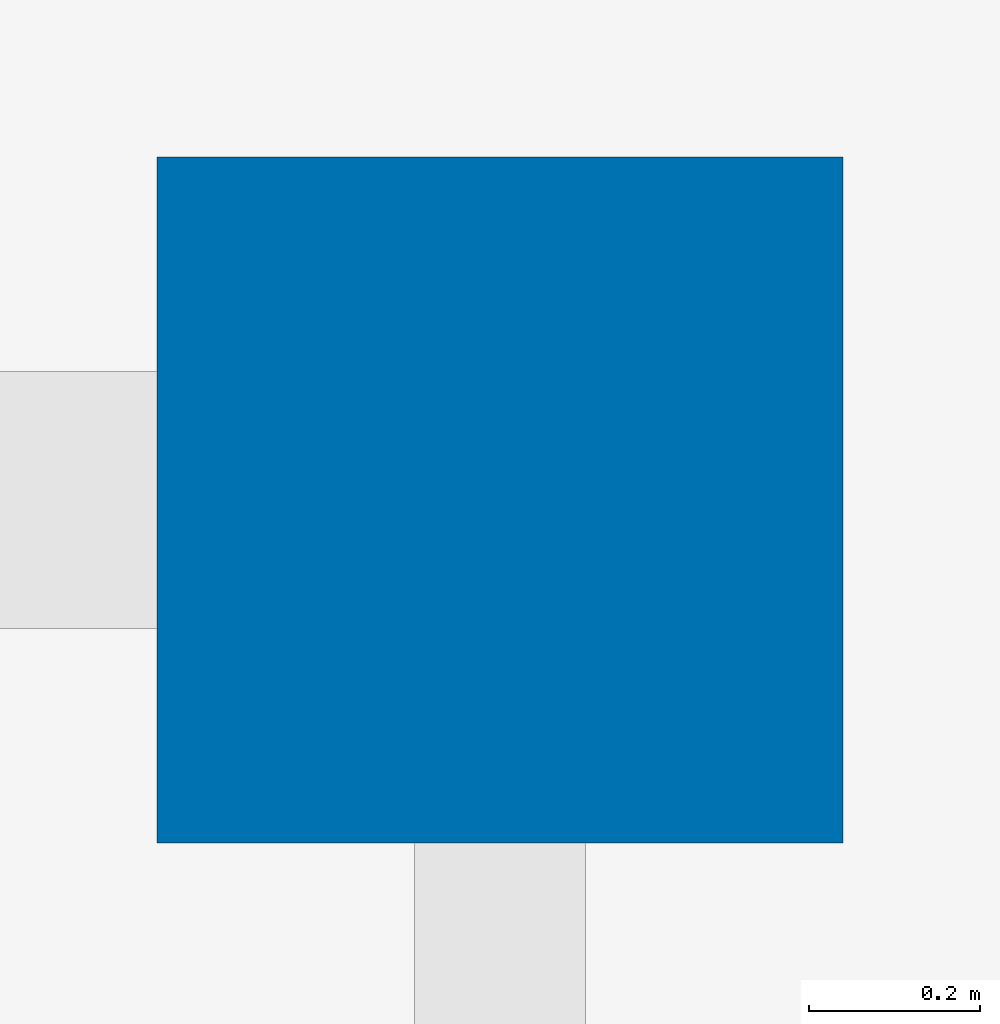
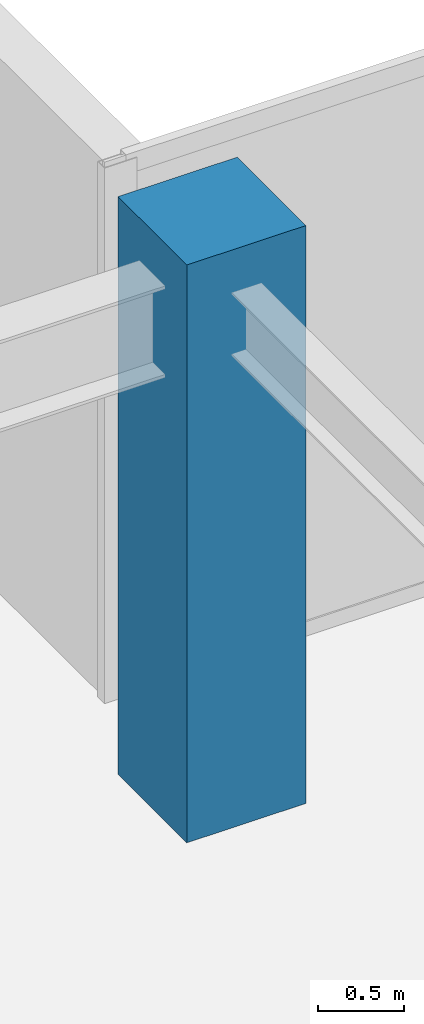
# One storey, part 4 of 33: 1 column.
"""IFC4 building model written with IfcOpenShell, lengths in metres."""

import ifcopenshell
import ifcopenshell.guid

model = None  # the IFC model being written
_history = None  # IfcOwnerHistory: only IFC2X3 demands one
_inside = {}  # id of a spatial element -> (the spatial element, [elements in it])
_under = {}  # id of a project, library or spatial element -> (it, [spatial elements below it])
_declared = {}  # id of a project -> (the project, [libraries it declares])
_typed = {}  # id of a type object -> (the type object, [elements of that type])
_made_of = {}  # id of a material, layer set ... -> (it, [elements and type objects made of it])


def new_model(schema):
    """Start an empty IFC model of exactly this schema.

    Asked for "IFC4X3", IfcOpenShell would pick the latest addendum, in which some entities
    have other attributes; the version numbers below select the first issue.
    IFC2X3 requires an IfcOwnerHistory on every rooted entity: one is made here for all.
    """
    global model, _history
    if schema == "IFC4X3":
        model = ifcopenshell.file(schema_version=(4, 3, 0, 0))
    else:
        model = ifcopenshell.file(schema=schema)
    _inside.clear()
    _under.clear()
    _declared.clear()
    _typed.clear()
    _made_of.clear()
    _history = None
    if model.schema == "IFC2X3":
        org = make("IfcOrganization", Name="unknown")
        user = make(
            "IfcPersonAndOrganization",
            ThePerson=make("IfcPerson", FamilyName="unknown"),
            TheOrganization=org,
        )
        app = make(
            "IfcApplication",
            ApplicationDeveloper=org,
            Version="unknown",
            ApplicationFullName="unknown",
            ApplicationIdentifier="unknown",
        )
        _history = make(
            "IfcOwnerHistory",
            OwningUser=user,
            OwningApplication=app,
            ChangeAction="ADDED",
            CreationDate=0,
        )
    return model


def make(cls, **values):
    """One entity of the class cls with the attributes given. An attribute that is None is left unset."""
    return model.create_entity(
        cls, **{name: value for name, value in values.items() if value is not None}
    )


def rooted(cls, **values):
    """An entity with a GlobalId (a new one), such as an element, a storey or a relation."""
    return make(cls, GlobalId=ifcopenshell.guid.new(), OwnerHistory=_history, **values)


def si_unit(unit_type, name, prefix=None):
    """IfcSIUnit, for example si_unit("LENGTHUNIT", "METRE", prefix="MILLI")."""
    return make("IfcSIUnit", UnitType=unit_type, Prefix=prefix, Name=name)


def assignment(units):
    """IfcUnitAssignment: the units of a project."""
    return None if units is None else make("IfcUnitAssignment", Units=units)


def point(xyz):
    """IfcCartesianPoint."""
    return None if xyz is None else make("IfcCartesianPoint", Coordinates=xyz)


def direction(xyz):
    """IfcDirection."""
    return None if xyz is None else make("IfcDirection", DirectionRatios=xyz)


def frame(location, z_axis=None, x_axis=None):
    """IfcAxis2Placement3D, a coordinate frame: its origin and axes. An axis left out is left unset."""
    return make(
        "IfcAxis2Placement3D",
        Location=point(location),
        Axis=direction(z_axis),
        RefDirection=direction(x_axis),
    )


def frame_2d(location, x_axis=None):
    """IfcAxis2Placement2D, a coordinate frame in the plane: its origin and x axis."""
    return make(
        "IfcAxis2Placement2D", Location=point(location), RefDirection=direction(x_axis)
    )


def origin():
    """The frame at (0, 0, 0) with its axes left unset."""
    return frame((0.0, 0.0, 0.0))


def origin_2d():
    """The frame at (0, 0) in the plane with its x axis left unset."""
    return frame_2d((0.0, 0.0))


def place(relative_to, where):
    """IfcLocalPlacement: puts the frame where relative to a parent placement (None: the world)."""
    return make(
        "IfcLocalPlacement", PlacementRelTo=relative_to, RelativePlacement=where
    )


def context(
    kind, dimensions, precision=None, world=None, true_north=None, identifier=None
):
    """IfcGeometricRepresentationContext, for example the 3D "Model" context."""
    return make(
        "IfcGeometricRepresentationContext",
        ContextIdentifier=identifier,
        ContextType=kind,
        CoordinateSpaceDimension=dimensions,
        Precision=precision,
        WorldCoordinateSystem=world,
        TrueNorth=true_north,
    )


def subcontext(parent, identifier, kind, view, scale=None):
    """IfcGeometricRepresentationSubContext, for example "Body" below "Model"."""
    return make(
        "IfcGeometricRepresentationSubContext",
        ContextIdentifier=identifier,
        ContextType=kind,
        ParentContext=parent,
        TargetScale=scale,
        TargetView=view,
    )


def project(units=None, contexts=None):
    """IfcProject with its units and contexts."""
    return rooted(
        "IfcProject",
        Name="project",
        RepresentationContexts=contexts,
        UnitsInContext=assignment(units),
    )


def spatial(cls, under=None, at=None, **own):
    """A site, building, storey or space (cls), placed at a placement, below another one or the project."""
    s = rooted(cls, ObjectPlacement=at, **own)
    if under is not None:
        _under.setdefault(under.id(), (under, []))[1].append(s)
    return s


def profile(cls, at=None, kind="AREA", **sizes):
    """A parametric profile (cls). Its sizes go by their IFC names, for example OverallWidth=200.0."""
    return make(cls, ProfileType=kind, Position=at, **sizes)


def rectangle(**sizes):
    """IfcRectangleProfileDef."""
    return profile("IfcRectangleProfileDef", **sizes)


def extrude(swept, where, along, depth):
    """IfcExtrudedAreaSolid: the profile swept, set in the frame where, extruded along a direction by depth."""
    return make(
        "IfcExtrudedAreaSolid",
        SweptArea=swept,
        Position=where,
        ExtrudedDirection=direction(along),
        Depth=depth,
    )


def shape(context_of_items, identifier, shape_type, items):
    """IfcShapeRepresentation: the items that make up one representation, for example the "Body"."""
    return make(
        "IfcShapeRepresentation",
        ContextOfItems=context_of_items,
        RepresentationIdentifier=identifier,
        RepresentationType=shape_type,
        Items=items,
    )


def source(mapping_origin, context_of_items, identifier, shape_type, items):
    """IfcRepresentationMap: a shape defined once, which mapped items show again and again."""
    return make(
        "IfcRepresentationMap",
        MappingOrigin=mapping_origin,
        MappedRepresentation=shape(context_of_items, identifier, shape_type, items),
    )


def transform(
    local_origin,
    x_axis=None,
    y_axis=None,
    z_axis=None,
    scale=None,
    scale2=None,
    scale3=None,
    uniform=True,
):
    """IfcCartesianTransformationOperator3D, or its non-uniform kind. x_axis, y_axis, z_axis: its Axis1, 2, 3."""
    if uniform:
        return make(
            "IfcCartesianTransformationOperator3D",
            Axis1=direction(x_axis),
            Axis2=direction(y_axis),
            LocalOrigin=point(local_origin),
            Scale=scale,
            Axis3=direction(z_axis),
        )
    return make(
        "IfcCartesianTransformationOperator3DnonUniform",
        Axis1=direction(x_axis),
        Axis2=direction(y_axis),
        LocalOrigin=point(local_origin),
        Scale=scale,
        Axis3=direction(z_axis),
        Scale2=scale2,
        Scale3=scale3,
    )


def mapped(mapping_source, mapping_target):
    """IfcMappedItem: shows the shape of a source again, moved by a transform."""
    return make(
        "IfcMappedItem", MappingSource=mapping_source, MappingTarget=mapping_target
    )


def material(Name=None, Category=None):
    """IfcMaterial."""
    return make("IfcMaterial", Name=Name, Category=Category)


def material_profile(
    of_material, cross_section, Name=None, Category=None, Priority=None
):
    """IfcMaterialProfile: a cross section and its material."""
    return make(
        "IfcMaterialProfile",
        Name=Name,
        Material=of_material,
        Profile=cross_section,
        Priority=Priority,
        Category=Category,
    )


def profile_set(profiles, Name=None, composite=None):
    """IfcMaterialProfileSet."""
    return make(
        "IfcMaterialProfileSet",
        Name=Name,
        MaterialProfiles=profiles,
        CompositeProfile=composite,
    )


def made_of(thing, what):
    """Note that an element or type object is made of a material, layer set ...; save() writes the relation."""
    if what is not None:
        _made_of.setdefault(what.id(), (what, []))[1].append(thing)
    return thing


def type_object(cls, material=None, **own):
    """A type object (cls), such as IfcWallType, which elements share."""
    return made_of(rooted(cls, **own), material)


def type_shapes(of_type, sources):
    """Give a type object the sources (RepresentationMaps) that its elements show as mapped items."""
    of_type.RepresentationMaps = sources


def element(
    cls,
    number,
    at=None,
    inside=None,
    cuts=None,
    type_object=None,
    material=None,
    context=None,
    identifier="Body",
    shape_type=None,
    held_by="IfcProductDefinitionShape",
    body=None,
    shapes=None,
    **own,
):
    """One element of the class cls, such as IfcWall. Its Tag is "e" and its number.

    at: its placement. inside: the storey or other place that contains it. cuts: it is an
    opening in that element (IfcRelVoidsElement). A single representation is given by context,
    identifier, shape_type and body (its items); several are given by shapes. held_by: the class
    of the entity that holds the representations. save() writes the other relations.
    """
    e = rooted(cls, Tag="e%d" % number, ObjectPlacement=at, **own)
    if body is not None:
        shapes = [shape(context, identifier, shape_type, body)]
    if shapes is not None:
        e.Representation = make(held_by, Representations=shapes)
    if inside is not None:
        _inside.setdefault(inside.id(), (inside, []))[1].append(e)
    if cuts is not None:
        rooted(
            "IfcRelVoidsElement", RelatingBuildingElement=cuts, RelatedOpeningElement=e
        )
    if type_object is not None:
        _typed.setdefault(type_object.id(), (type_object, []))[1].append(e)
    return made_of(e, material)


def aggregate(whole, parts):
    """IfcRelAggregates: a whole, such as a stair, and the parts it consists of."""
    return rooted("IfcRelAggregates", RelatingObject=whole, RelatedObjects=parts)


def save(model, path):
    """Write the relations noted so far, then the file.

    IfcRelAggregates (storeys below a building ...), IfcRelContainedInSpatialStructure (elements
    in a storey), IfcRelDefinesByType, IfcRelAssociatesMaterial and IfcRelDeclares: one each for
    every whole, place, type object, material and project.
    """
    for whole, parts in _under.values():
        aggregate(whole, parts)
    for where, things in _inside.values():
        rooted(
            "IfcRelContainedInSpatialStructure",
            RelatedElements=things,
            RelatingStructure=where,
        )
    for kind, things in _typed.values():
        rooted("IfcRelDefinesByType", RelatedObjects=things, RelatingType=kind)
    for what, things in _made_of.values():
        rooted("IfcRelAssociatesMaterial", RelatedObjects=things, RelatingMaterial=what)
    for by, libraries in _declared.values():
        rooted("IfcRelDeclares", RelatingContext=by, RelatedDefinitions=libraries)
    model.write(path)


model = new_model("IFC4")

# Units and contexts
model_context = context("Model", 3, precision=1e-05, world=origin(), true_north=direction((0.0, 1.0)))
body_context = subcontext(model_context, "Body", "Model", "MODEL_VIEW")
ifc_project = project(units=[si_unit("LENGTHUNIT", "METRE"), si_unit("AREAUNIT", "SQUARE_METRE"), si_unit("VOLUMEUNIT", "CUBIC_METRE"), si_unit("PLANEANGLEUNIT", "RADIAN"), si_unit("MASSUNIT", "GRAM", prefix="KILO")], contexts=[model_context])

# Site, building, storey
site_placement = place(None, origin())
site = spatial("IfcSite", under=ifc_project, at=site_placement, CompositionType="ELEMENT")
building_placement = place(site_placement, origin())
building = spatial("IfcBuilding", under=site, at=building_placement, Name="Haelvirn Gate Laboratories", CompositionType="ELEMENT")
storey_placement = place(building_placement, frame((0.0, 0.0, 267.0)))
storey = spatial("IfcBuildingStorey", under=building, at=storey_placement, Name="L64", CompositionType="ELEMENT", Elevation=267.0)

# Column
ifc_material = material(Name="Concrete C50/60", Category="concrete")
ifc_material_profile = material_profile(ifc_material, rectangle(XDim=0.800048828125, YDim=0.800048828125, at=origin_2d()), Name="RC-800x800")
ifc_profile_set = profile_set([ifc_material_profile], Name="Concrete C50/60")
column_type = type_object("IfcColumnType", Name="COL-RC-800", PredefinedType="COLUMN", material=ifc_profile_set)
shared_shape = source(origin(), body_context, "Body", "SweptSolid", [
    extrude(rectangle(XDim=0.800048828125, YDim=0.800048828125, at=origin_2d()), origin(), (0.0, 0.0, 1.0), 4.10009765625),
])
type_shapes(column_type, [shared_shape])
column_placement = place(storey_placement, frame((67.39990234375, 41.60009765625, 0.0), z_axis=(0.0, 0.0, 1.0), x_axis=(1.0, 0.0, 0.0)))
element("IfcColumn", 1, at=column_placement, inside=storey, type_object=column_type, Name="L64 Column 10G", PredefinedType="COLUMN", context=body_context, shape_type="MappedRepresentation", body=[
    mapped(shared_shape, transform((0.0, 0.0, 0.0), scale=1.0)),
])

save(model, "model.ifc")
